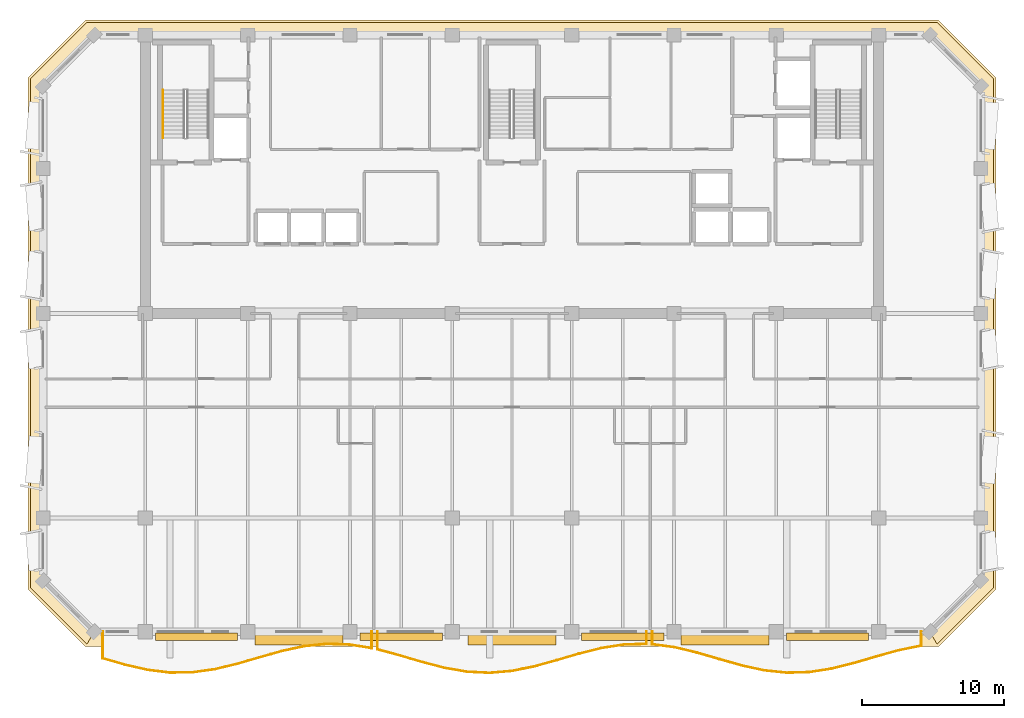
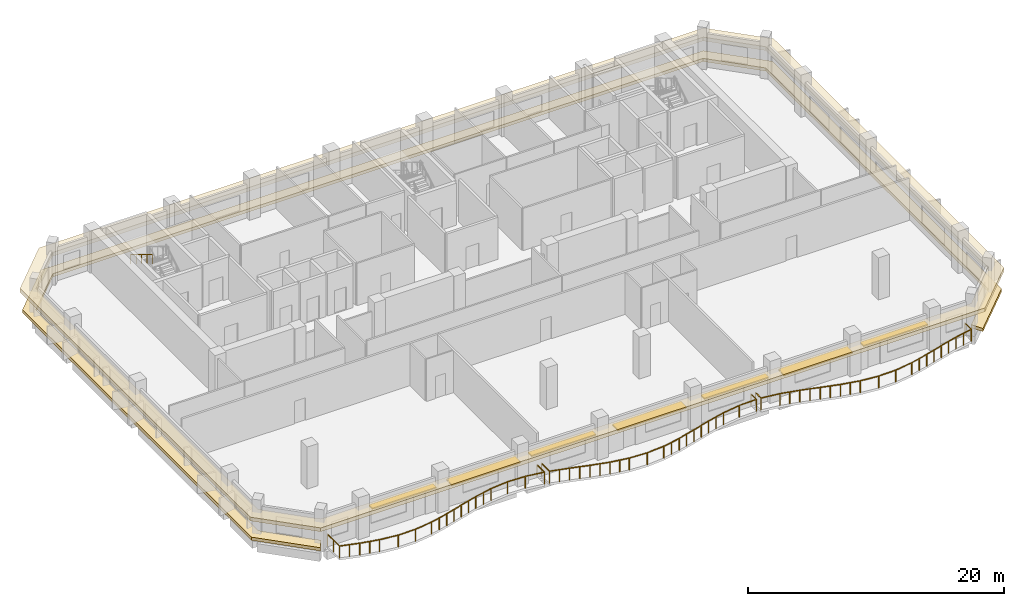
# One storey, part 8 of 10: 7 shading devices, 4 railings, 2 coverings.
"""IFC4 building model written with IfcOpenShell, lengths in metres."""

from ifc_helpers import new_model, si_unit, direction, frame, origin, origin_2d, place, context, subcontext, project, spatial, polyline, rectangle, outline, extrude, material, layer, layer_set, type_object, element, save


model = new_model("IFC4")

# Units and contexts
model_context = context("Model", 3, precision=1e-05, world=origin(), true_north=direction((0.0, 1.0)))
body_context = subcontext(model_context, "Body", "Model", "MODEL_VIEW")
ifc_project = project(units=[si_unit("LENGTHUNIT", "METRE"), si_unit("AREAUNIT", "SQUARE_METRE"), si_unit("VOLUMEUNIT", "CUBIC_METRE"), si_unit("PLANEANGLEUNIT", "RADIAN"), si_unit("MASSUNIT", "GRAM", prefix="KILO")], contexts=[model_context])

# Site, building, storey
site_placement = place(None, origin())
site = spatial("IfcSite", under=ifc_project, at=site_placement, CompositionType="ELEMENT")
building_placement = place(site_placement, origin())
building = spatial("IfcBuilding", under=site, at=building_placement, Name="Kaelvorn Grand Hotel", CompositionType="ELEMENT")
storey_placement = place(building_placement, frame((0.0, 0.0, 290.300048828125)))
storey = spatial("IfcBuildingStorey", under=building, at=storey_placement, Name="L71", CompositionType="ELEMENT", Elevation=290.300048828125)

# Coverings
ifc_material_1 = material(Name="Precast concrete C45/55", Category="concrete")
ifc_layer_1 = layer(ifc_material_1, 0.260009765625)
ifc_layer_set_1 = layer_set([ifc_layer_1], Name="Precast concrete C45/55")
covering_type_1 = type_object("IfcCoveringType", Name="COV-BAND-STREAMLINE-HEAD", PredefinedType="CLADDING", material=ifc_layer_set_1)
covering_1_placement = place(storey_placement, frame((0.0, 0.0, 2.419921875)))
element("IfcCovering", 1, at=covering_1_placement, inside=storey, type_object=covering_type_1, Name="L71 Streamline Moderne Wraparound Horizontal Eyebrow Band", PredefinedType="CLADDING", context=body_context, shape_type="SweptSolid", body=[
    extrude(outline(polyline([(11.989990234375, 5.949951171875), (72.010009765625, 5.949951171875), (76.050048828125, 9.989990234375), (76.050048828125, 46.010009765625), (72.010009765625, 50.050048828125), (11.989990234375, 50.050048828125), (7.949951171875, 46.010009765625), (7.949951171875, 9.989990234375), (11.989990234375, 5.949951171875)]), holes=[polyline([(12.6201171875, 7.030029296875), (71.3798828125, 7.030029296875), (74.969970703125, 10.6201171875), (74.969970703125, 45.3798828125), (71.3798828125, 48.969970703125), (12.6201171875, 48.969970703125), (9.030029296875, 45.3798828125), (9.030029296875, 10.6201171875), (12.6201171875, 7.030029296875)])]), origin(), (0.0, 0.0, 1.0), 0.360107421875),
])
ifc_layer_2 = layer(ifc_material_1, 0.219970703125)
ifc_layer_set_2 = layer_set([ifc_layer_2], Name="Precast concrete C45/55")
covering_type_2 = type_object("IfcCoveringType", Name="COV-BAND-STREAMLINE-SILL", PredefinedType="CLADDING", material=ifc_layer_set_2)
covering_2_placement = place(storey_placement, frame((0.0, 0.0, 0.449951171875)))
element("IfcCovering", 2, at=covering_2_placement, inside=storey, type_object=covering_type_2, Name="L71 Streamline Moderne Wraparound Horizontal Sill Spandrel Band", PredefinedType="CLADDING", context=body_context, shape_type="SweptSolid", body=[
    extrude(outline(polyline([(71.91552734375, 6.1201171875), (75.8798828125, 10.08447265625), (75.8798828125, 45.91552734375), (71.91552734375, 49.8798828125), (12.08447265625, 49.8798828125), (8.1201171875, 45.91552734375), (8.1201171875, 10.08447265625), (12.08447265625, 6.1201171875), (12.61767578125, 7.030029296875), (9.030029296875, 10.61767578125), (9.030029296875, 45.38232421875), (12.61767578125, 48.969970703125), (71.38232421875, 48.969970703125), (74.969970703125, 45.38232421875), (74.969970703125, 10.61767578125), (71.38232421875, 7.030029296875), (71.91552734375, 6.1201171875)])), origin(), (0.0, 0.0, 1.0), 0.300048828125),
])

# Railings
ifc_material_2 = material(Name="Stainless Steel", Category="steel")
railing_type_1 = type_object("IfcRailingType", Name="RL-BALC-1150", PredefinedType="BALUSTRADE", material=ifc_material_2)
railing_1_placement = place(storey_placement, frame((13.199951171875, 7.0, 0.0)))
element("IfcRailing", 3, at=railing_1_placement, inside=storey, type_object=railing_type_1, Name="L71 Scalloped Wave Balcony Balustrade GR1-1", PredefinedType="BALUSTRADE", context=body_context, shape_type="SweptSolid", body=[
    extrude(rectangle(XDim=0.048095703125, YDim=0.048095703125, at=origin_2d()), frame((0.0, 0.0, 1.1259765625), z_axis=(0.0, -1.0, 0.0), x_axis=(1.0, 0.0, 0.0)), (0.0, 0.0, 1.0), 1.875),
    extrude(rectangle(XDim=0.048095703125, YDim=0.048095703125, at=origin_2d()), frame((0.0, -1.875, 1.1259765625), z_axis=(0.960994740693, -0.276566643616, 0.0), x_axis=(0.276566643616, 0.960994740693, 0.0)), (0.0, 0.0, 1.0), 1.641845703125),
    extrude(rectangle(XDim=0.048095703125, YDim=0.048095703125, at=origin_2d()), frame((1.577880859375, -2.3291015625, 1.1259765625), z_axis=(0.974924944504, -0.222533935801, 0.0), x_axis=(0.222533935801, 0.974924944504, 0.0)), (0.0, 0.0, 1.0), 1.6181640625),
    extrude(rectangle(XDim=0.048095703125, YDim=0.048095703125, at=origin_2d()), frame((3.155517578125, -2.689208984375, 1.1259765625), z_axis=(0.992704283677, -0.12057447976, 0.0), x_axis=(0.12057447976, 0.992704283677, 0.0)), (0.0, 0.0, 1.0), 1.58935546875),
    extrude(rectangle(XDim=0.048095703125, YDim=0.048095703125, at=origin_2d()), frame((4.7333984375, -2.880859375, 1.1259765625), z_axis=(0.999944654354, 0.010520847361, 0.0), x_axis=(-0.010520847361, 0.999944654354, 0.0)), (0.0, 0.0, 1.0), 1.577880859375),
    extrude(rectangle(XDim=0.048095703125, YDim=0.048095703125, at=origin_2d()), frame((6.311279296875, -2.8642578125, 1.1259765625), z_axis=(0.990292866958, 0.138996538275, 0.0), x_axis=(-0.138996538275, 0.990292866958, 0.0)), (0.0, 0.0, 1.0), 1.593017578125),
    extrude(rectangle(XDim=0.048095703125, YDim=0.048095703125, at=origin_2d()), frame((7.888916015625, -2.642822265625, 1.1259765625), z_axis=(0.972186226133, 0.234209183675, 0.0), x_axis=(-0.234209183675, 0.972186226133, 0.0)), (0.0, 0.0, 1.0), 1.623046875),
    extrude(rectangle(XDim=0.048095703125, YDim=0.048095703125, at=origin_2d()), frame((9.466796875, -2.2626953125, 1.1259765625), z_axis=(0.959950070908, 0.280171128711, 0.0), x_axis=(-0.280171128711, 0.959950070908, 0.0)), (0.0, 0.0, 1.0), 1.6435546875),
    extrude(rectangle(XDim=0.048095703125, YDim=0.048095703125, at=origin_2d()), frame((11.04443359375, -1.80224609375, 1.1259765625), z_axis=(0.962367834737, 0.271750162215, 0.0), x_axis=(-0.271750162215, 0.962367834737, 0.0)), (0.0, 0.0, 1.0), 1.6396484375),
    extrude(rectangle(XDim=0.048095703125, YDim=0.048095703125, at=origin_2d()), frame((12.622314453125, -1.356689453125, 1.1259765625), z_axis=(0.977793555776, 0.209570423205, 0.0), x_axis=(-0.209570423205, 0.977793555776, 0.0)), (0.0, 0.0, 1.0), 1.613525390625),
    extrude(rectangle(XDim=0.048095703125, YDim=0.048095703125, at=origin_2d()), frame((14.199951171875, -1.0185546875, 1.1259765625), z_axis=(0.994841753688, 0.10143907097, 0.0), x_axis=(-0.10143907097, 0.994841753688, 0.0)), (0.0, 0.0, 1.0), 1.586181640625),
    extrude(rectangle(XDim=0.048095703125, YDim=0.048095703125, at=origin_2d()), frame((15.77783203125, -0.857666015625, 1.1259765625), z_axis=(0.999502219754, -0.03154857695, 0.0), x_axis=(0.03154857695, 0.999502219754, 0.0)), (0.0, 0.0, 1.0), 1.57861328125),
    extrude(rectangle(XDim=0.048095703125, YDim=0.048095703125, at=origin_2d()), frame((17.355712890625, -0.907470703125, 1.1259765625), z_axis=(0.987699679767, -0.156362855525, 0.0), x_axis=(0.156362855525, 0.987699679767, 0.0)), (0.0, 0.0, 1.0), 1.59716796875),
    extrude(rectangle(XDim=0.048095703125, YDim=0.048095703125, at=origin_2d()), frame((18.933349609375, -1.1572265625, 1.1259765625), z_axis=(0.0, 1.0, 0.0), x_axis=(-1.0, 0.0, 0.0)), (0.0, 0.0, 1.0), 1.1572265625),
    extrude(rectangle(XDim=0.0419921875, YDim=0.0419921875, at=origin_2d()), origin(), (0.0, 0.0, 1.0), 1.101806640625),
    extrude(rectangle(XDim=0.0419921875, YDim=0.0419921875, at=origin_2d()), frame((0.0, -0.9375, 0.0)), (0.0, 0.0, 1.0), 1.101806640625),
    extrude(rectangle(XDim=0.0419921875, YDim=0.0419921875, at=origin_2d()), frame((0.0, -1.875, 0.0)), (0.0, 0.0, 1.0), 1.101806640625),
    extrude(rectangle(XDim=0.0419921875, YDim=0.0419921875, at=origin_2d()), frame((0.7890625, -2.10205078125, 0.0)), (0.0, 0.0, 1.0), 1.101806640625),
    extrude(rectangle(XDim=0.0419921875, YDim=0.0419921875, at=origin_2d()), frame((1.577880859375, -2.3291015625, 0.0)), (0.0, 0.0, 1.0), 1.101806640625),
    extrude(rectangle(XDim=0.0419921875, YDim=0.0419921875, at=origin_2d()), frame((2.36669921875, -2.50927734375, 0.0)), (0.0, 0.0, 1.0), 1.101806640625),
    extrude(rectangle(XDim=0.0419921875, YDim=0.0419921875, at=origin_2d()), frame((3.155517578125, -2.689208984375, 0.0)), (0.0, 0.0, 1.0), 1.101806640625),
    extrude(rectangle(XDim=0.0419921875, YDim=0.0419921875, at=origin_2d()), frame((4.7333984375, -2.880859375, 0.0)), (0.0, 0.0, 1.0), 1.101806640625),
    extrude(rectangle(XDim=0.0419921875, YDim=0.0419921875, at=origin_2d()), frame((6.311279296875, -2.8642578125, 0.0)), (0.0, 0.0, 1.0), 1.101806640625),
    extrude(rectangle(XDim=0.0419921875, YDim=0.0419921875, at=origin_2d()), frame((7.888916015625, -2.642822265625, 0.0)), (0.0, 0.0, 1.0), 1.101806640625),
    extrude(rectangle(XDim=0.0419921875, YDim=0.0419921875, at=origin_2d()), frame((8.677734375, -2.45263671875, 0.0)), (0.0, 0.0, 1.0), 1.101806640625),
    extrude(rectangle(XDim=0.0419921875, YDim=0.0419921875, at=origin_2d()), frame((9.466796875, -2.2626953125, 0.0)), (0.0, 0.0, 1.0), 1.101806640625),
    extrude(rectangle(XDim=0.0419921875, YDim=0.0419921875, at=origin_2d()), frame((10.255615234375, -2.032470703125, 0.0)), (0.0, 0.0, 1.0), 1.101806640625),
    extrude(rectangle(XDim=0.0419921875, YDim=0.0419921875, at=origin_2d()), frame((11.04443359375, -1.80224609375, 0.0)), (0.0, 0.0, 1.0), 1.101806640625),
    extrude(rectangle(XDim=0.0419921875, YDim=0.0419921875, at=origin_2d()), frame((11.83349609375, -1.57958984375, 0.0)), (0.0, 0.0, 1.0), 1.101806640625),
    extrude(rectangle(XDim=0.0419921875, YDim=0.0419921875, at=origin_2d()), frame((12.622314453125, -1.356689453125, 0.0)), (0.0, 0.0, 1.0), 1.101806640625),
    extrude(rectangle(XDim=0.0419921875, YDim=0.0419921875, at=origin_2d()), frame((13.4111328125, -1.1875, 0.0)), (0.0, 0.0, 1.0), 1.101806640625),
    extrude(rectangle(XDim=0.0419921875, YDim=0.0419921875, at=origin_2d()), frame((14.199951171875, -1.0185546875, 0.0)), (0.0, 0.0, 1.0), 1.101806640625),
    extrude(rectangle(XDim=0.0419921875, YDim=0.0419921875, at=origin_2d()), frame((15.77783203125, -0.857666015625, 0.0)), (0.0, 0.0, 1.0), 1.101806640625),
    extrude(rectangle(XDim=0.0419921875, YDim=0.0419921875, at=origin_2d()), frame((17.355712890625, -0.907470703125, 0.0)), (0.0, 0.0, 1.0), 1.101806640625),
    extrude(rectangle(XDim=0.0419921875, YDim=0.0419921875, at=origin_2d()), frame((18.933349609375, -1.1572265625, 0.0)), (0.0, 0.0, 1.0), 1.101806640625),
    extrude(rectangle(XDim=0.0419921875, YDim=0.0419921875, at=origin_2d()), frame((18.933349609375, 0.0, 0.0)), (0.0, 0.0, 1.0), 1.101806640625),
])
railing_2_placement = place(storey_placement, frame((32.533447265625, 7.0, 0.0)))
element("IfcRailing", 4, at=railing_2_placement, inside=storey, type_object=railing_type_1, Name="L71 Scalloped Wave Balcony Balustrade GR1-2", PredefinedType="BALUSTRADE", context=body_context, shape_type="SweptSolid", body=[
    extrude(rectangle(XDim=0.048095703125, YDim=0.048095703125, at=origin_2d()), frame((0.0, 0.0, 1.1259765625), z_axis=(0.0, -1.0, 0.0), x_axis=(1.0, 0.0, 0.0)), (0.0, 0.0, 1.0), 1.2470703125),
    extrude(rectangle(XDim=0.048095703125, YDim=0.048095703125, at=origin_2d()), frame((0.0, -1.2470703125, 1.1259765625), z_axis=(0.965757027917, -0.259448189487, 0.0), x_axis=(0.259448189487, 0.965757027917, 0.0)), (0.0, 0.0, 1.0), 1.633544921875),
    extrude(rectangle(XDim=0.048095703125, YDim=0.048095703125, at=origin_2d()), frame((1.57763671875, -1.6708984375, 1.1259765625), z_axis=(0.958998461893, -0.283411273745, 0.0), x_axis=(0.283411273745, 0.958998461893, 0.0)), (0.0, 0.0, 1.0), 1.645263671875),
    extrude(rectangle(XDim=0.048095703125, YDim=0.048095703125, at=origin_2d()), frame((3.155517578125, -2.13720703125, 1.1259765625), z_axis=(0.967571143954, -0.25259865674, 0.0), x_axis=(0.25259865674, 0.967571143954, 0.0)), (0.0, 0.0, 1.0), 1.630615234375),
    extrude(rectangle(XDim=0.048095703125, YDim=0.048095703125, at=origin_2d()), frame((4.733154296875, -2.549072265625, 1.1259765625), z_axis=(0.985442503701, -0.170009034756, 0.0), x_axis=(0.170009034756, 0.985442503701, 0.0)), (0.0, 0.0, 1.0), 1.60107421875),
    extrude(rectangle(XDim=0.048095703125, YDim=0.048095703125, at=origin_2d()), frame((6.31103515625, -2.8212890625, 1.1259765625), z_axis=(0.998821506626, -0.048534502179, 0.0), x_axis=(0.048534502179, 0.998821506626, 0.0)), (0.0, 0.0, 1.0), 1.57958984375),
    extrude(rectangle(XDim=0.048095703125, YDim=0.048095703125, at=origin_2d()), frame((7.888671875, -2.89794921875, 1.1259765625), z_axis=(0.996346274247, 0.085405513838, 0.0), x_axis=(-0.085405513838, 0.996346274247, 0.0)), (0.0, 0.0, 1.0), 1.583740234375),
    extrude(rectangle(XDim=0.048095703125, YDim=0.048095703125, at=origin_2d()), frame((9.466552734375, -2.7626953125, 1.1259765625), z_axis=(0.980187908753, 0.198069845092, 0.0), x_axis=(-0.198069845092, 0.980187908753, 0.0)), (0.0, 0.0, 1.0), 1.60986328125),
    extrude(rectangle(XDim=0.048095703125, YDim=0.048095703125, at=origin_2d()), frame((11.04443359375, -2.44384765625, 1.1259765625), z_axis=(0.963748313877, 0.266813019735, 0.0), x_axis=(-0.266813019735, 0.963748313877, 0.0)), (0.0, 0.0, 1.0), 1.636962890625),
    extrude(rectangle(XDim=0.048095703125, YDim=0.048095703125, at=origin_2d()), frame((12.6220703125, -2.007080078125, 1.1259765625), z_axis=(0.959400950639, 0.282045769181, 0.0), x_axis=(-0.282045769181, 0.959400950639, 0.0)), (0.0, 0.0, 1.0), 1.64453125),
    extrude(rectangle(XDim=0.048095703125, YDim=0.048095703125, at=origin_2d()), frame((14.199951171875, -1.543212890625, 1.1259765625), z_axis=(0.970018753114, 0.243030077575, 0.0), x_axis=(-0.243030077575, 0.970018753114, 0.0)), (0.0, 0.0, 1.0), 1.62646484375),
    extrude(rectangle(XDim=0.048095703125, YDim=0.048095703125, at=origin_2d()), frame((15.777587890625, -1.14794921875, 1.1259765625), z_axis=(0.988171107117, 0.153355348977, 0.0), x_axis=(-0.153355348977, 0.988171107117, 0.0)), (0.0, 0.0, 1.0), 1.5966796875),
    extrude(rectangle(XDim=0.048095703125, YDim=0.048095703125, at=origin_2d()), frame((17.35546875, -0.903076171875, 1.1259765625), z_axis=(0.999616564502, 0.027689781035, 0.0), x_axis=(-0.027689781035, 0.999616564502, 0.0)), (0.0, 0.0, 1.0), 1.578125),
    extrude(rectangle(XDim=0.048095703125, YDim=0.048095703125, at=origin_2d()), frame((18.93310546875, -0.859375, 1.1259765625), z_axis=(0.0, 1.0, 0.0), x_axis=(-1.0, 0.0, 0.0)), (0.0, 0.0, 1.0), 0.859375),
    extrude(rectangle(XDim=0.0419921875, YDim=0.0419921875, at=origin_2d()), origin(), (0.0, 0.0, 1.0), 1.101806640625),
    extrude(rectangle(XDim=0.0419921875, YDim=0.0419921875, at=origin_2d()), frame((0.0, -1.2470703125, 0.0)), (0.0, 0.0, 1.0), 1.101806640625),
    extrude(rectangle(XDim=0.0419921875, YDim=0.0419921875, at=origin_2d()), frame((0.788818359375, -1.458984375, 0.0)), (0.0, 0.0, 1.0), 1.101806640625),
    extrude(rectangle(XDim=0.0419921875, YDim=0.0419921875, at=origin_2d()), frame((1.57763671875, -1.6708984375, 0.0)), (0.0, 0.0, 1.0), 1.101806640625),
    extrude(rectangle(XDim=0.0419921875, YDim=0.0419921875, at=origin_2d()), frame((2.36669921875, -1.904052734375, 0.0)), (0.0, 0.0, 1.0), 1.101806640625),
    extrude(rectangle(XDim=0.0419921875, YDim=0.0419921875, at=origin_2d()), frame((3.155517578125, -2.13720703125, 0.0)), (0.0, 0.0, 1.0), 1.101806640625),
    extrude(rectangle(XDim=0.0419921875, YDim=0.0419921875, at=origin_2d()), frame((3.9443359375, -2.34326171875, 0.0)), (0.0, 0.0, 1.0), 1.101806640625),
    extrude(rectangle(XDim=0.0419921875, YDim=0.0419921875, at=origin_2d()), frame((4.733154296875, -2.549072265625, 0.0)), (0.0, 0.0, 1.0), 1.101806640625),
    extrude(rectangle(XDim=0.0419921875, YDim=0.0419921875, at=origin_2d()), frame((5.52197265625, -2.68505859375, 0.0)), (0.0, 0.0, 1.0), 1.101806640625),
    extrude(rectangle(XDim=0.0419921875, YDim=0.0419921875, at=origin_2d()), frame((6.31103515625, -2.8212890625, 0.0)), (0.0, 0.0, 1.0), 1.101806640625),
    extrude(rectangle(XDim=0.0419921875, YDim=0.0419921875, at=origin_2d()), frame((7.888671875, -2.89794921875, 0.0)), (0.0, 0.0, 1.0), 1.101806640625),
    extrude(rectangle(XDim=0.0419921875, YDim=0.0419921875, at=origin_2d()), frame((9.466552734375, -2.7626953125, 0.0)), (0.0, 0.0, 1.0), 1.101806640625),
    extrude(rectangle(XDim=0.0419921875, YDim=0.0419921875, at=origin_2d()), frame((10.25537109375, -2.603271484375, 0.0)), (0.0, 0.0, 1.0), 1.101806640625),
    extrude(rectangle(XDim=0.0419921875, YDim=0.0419921875, at=origin_2d()), frame((11.04443359375, -2.44384765625, 0.0)), (0.0, 0.0, 1.0), 1.101806640625),
    extrude(rectangle(XDim=0.0419921875, YDim=0.0419921875, at=origin_2d()), frame((11.833251953125, -2.2255859375, 0.0)), (0.0, 0.0, 1.0), 1.101806640625),
    extrude(rectangle(XDim=0.0419921875, YDim=0.0419921875, at=origin_2d()), frame((12.6220703125, -2.007080078125, 0.0)), (0.0, 0.0, 1.0), 1.101806640625),
    extrude(rectangle(XDim=0.0419921875, YDim=0.0419921875, at=origin_2d()), frame((13.4111328125, -1.775146484375, 0.0)), (0.0, 0.0, 1.0), 1.101806640625),
    extrude(rectangle(XDim=0.0419921875, YDim=0.0419921875, at=origin_2d()), frame((14.199951171875, -1.543212890625, 0.0)), (0.0, 0.0, 1.0), 1.101806640625),
    extrude(rectangle(XDim=0.0419921875, YDim=0.0419921875, at=origin_2d()), frame((14.98876953125, -1.345703125, 0.0)), (0.0, 0.0, 1.0), 1.101806640625),
    extrude(rectangle(XDim=0.0419921875, YDim=0.0419921875, at=origin_2d()), frame((15.777587890625, -1.14794921875, 0.0)), (0.0, 0.0, 1.0), 1.101806640625),
    extrude(rectangle(XDim=0.0419921875, YDim=0.0419921875, at=origin_2d()), frame((17.35546875, -0.903076171875, 0.0)), (0.0, 0.0, 1.0), 1.101806640625),
    extrude(rectangle(XDim=0.0419921875, YDim=0.0419921875, at=origin_2d()), frame((18.93310546875, -0.859375, 0.0)), (0.0, 0.0, 1.0), 1.101806640625),
    extrude(rectangle(XDim=0.0419921875, YDim=0.0419921875, at=origin_2d()), frame((18.93310546875, 0.0, 0.0)), (0.0, 0.0, 1.0), 1.101806640625),
])
railing_3_placement = place(storey_placement, frame((51.86669921875, 7.0, 0.0)))
element("IfcRailing", 5, at=railing_3_placement, inside=storey, type_object=railing_type_1, Name="L71 Scalloped Wave Balcony Balustrade GR1-3", PredefinedType="BALUSTRADE", context=body_context, shape_type="SweptSolid", body=[
    extrude(rectangle(XDim=0.048095703125, YDim=0.048095703125, at=origin_2d()), frame((0.0, 0.0, 1.1259765625), z_axis=(0.0, -1.0, 0.0), x_axis=(1.0, 0.0, 0.0)), (0.0, 0.0, 1.0), 0.88232421875),
    extrude(rectangle(XDim=0.048095703125, YDim=0.048095703125, at=origin_2d()), frame((0.0, -0.88232421875, 1.1259765625), z_axis=(0.990751631075, -0.135687897478, 0.0), x_axis=(0.135687897478, 0.990751631075, 0.0)), (0.0, 0.0, 1.0), 1.59228515625),
    extrude(rectangle(XDim=0.048095703125, YDim=0.048095703125, at=origin_2d()), frame((1.57763671875, -1.098388671875, 1.1259765625), z_axis=(0.972663931171, -0.232217305554, 0.0), x_axis=(0.232217305554, 0.972663931171, 0.0)), (0.0, 0.0, 1.0), 1.622314453125),
    extrude(rectangle(XDim=0.048095703125, YDim=0.048095703125, at=origin_2d()), frame((3.155517578125, -1.47509765625, 1.1259765625), z_axis=(0.960121369563, -0.279583539767, 0.0), x_axis=(0.279583539767, 0.960121369563, 0.0)), (0.0, 0.0, 1.0), 1.643310546875),
    extrude(rectangle(XDim=0.048095703125, YDim=0.048095703125, at=origin_2d()), frame((4.7333984375, -1.9345703125, 1.1259765625), z_axis=(0.962083760645, -0.272754170458, 0.0), x_axis=(0.272754170458, 0.962083760645, 0.0)), (0.0, 0.0, 1.0), 1.639892578125),
    extrude(rectangle(XDim=0.048095703125, YDim=0.048095703125, at=origin_2d()), frame((6.31103515625, -2.3818359375, 1.1259765625), z_axis=(0.97727043301, -0.211996464038, 0.0), x_axis=(0.211996464038, 0.97727043301, 0.0)), (0.0, 0.0, 1.0), 1.614501953125),
    extrude(rectangle(XDim=0.048095703125, YDim=0.048095703125, at=origin_2d()), frame((7.888916015625, -2.72412109375, 1.1259765625), z_axis=(0.994476744564, -0.104957155647, 0.0), x_axis=(0.104957155647, 0.994476744564, 0.0)), (0.0, 0.0, 1.0), 1.58642578125),
    extrude(rectangle(XDim=0.048095703125, YDim=0.048095703125, at=origin_2d()), frame((9.466552734375, -2.890625, 1.1259765625), z_axis=(0.99961668308, 0.027685499965, 0.0), x_axis=(-0.027685499965, 0.99961668308, 0.0)), (0.0, 0.0, 1.0), 1.578369140625),
    extrude(rectangle(XDim=0.048095703125, YDim=0.048095703125, at=origin_2d()), frame((11.04443359375, -2.846923828125, 1.1259765625), z_axis=(0.988167510499, 0.153378522598, 0.0), x_axis=(-0.153378522598, 0.988167510499, 0.0)), (0.0, 0.0, 1.0), 1.596435546875),
    extrude(rectangle(XDim=0.048095703125, YDim=0.048095703125, at=origin_2d()), frame((12.6220703125, -2.60205078125, 1.1259765625), z_axis=(0.970027617291, 0.242994694785, 0.0), x_axis=(-0.242994694785, 0.970027617291, 0.0)), (0.0, 0.0, 1.0), 1.626708984375),
    extrude(rectangle(XDim=0.048095703125, YDim=0.048095703125, at=origin_2d()), frame((14.199951171875, -2.206787109375, 1.1259765625), z_axis=(0.959400950639, 0.282045769181, 0.0), x_axis=(-0.282045769181, 0.959400950639, 0.0)), (0.0, 0.0, 1.0), 1.64453125),
    extrude(rectangle(XDim=0.048095703125, YDim=0.048095703125, at=origin_2d()), frame((15.77783203125, -1.742919921875, 1.1259765625), z_axis=(0.963748313877, 0.266813019735, 0.0), x_axis=(-0.266813019735, 0.963748313877, 0.0)), (0.0, 0.0, 1.0), 1.636962890625),
    extrude(rectangle(XDim=0.048095703125, YDim=0.048095703125, at=origin_2d()), frame((17.35546875, -1.30615234375, 1.1259765625), z_axis=(0.980187908753, 0.198069845092, 0.0), x_axis=(-0.198069845092, 0.980187908753, 0.0)), (0.0, 0.0, 1.0), 1.60986328125),
    extrude(rectangle(XDim=0.048095703125, YDim=0.048095703125, at=origin_2d()), frame((18.933349609375, -0.9873046875, 1.1259765625), z_axis=(0.0, 1.0, 0.0), x_axis=(-1.0, 0.0, 0.0)), (0.0, 0.0, 1.0), 0.9873046875),
    extrude(rectangle(XDim=0.0419921875, YDim=0.0419921875, at=origin_2d()), origin(), (0.0, 0.0, 1.0), 1.101806640625),
    extrude(rectangle(XDim=0.0419921875, YDim=0.0419921875, at=origin_2d()), frame((0.0, -0.88232421875, 0.0)), (0.0, 0.0, 1.0), 1.101806640625),
    extrude(rectangle(XDim=0.0419921875, YDim=0.0419921875, at=origin_2d()), frame((1.57763671875, -1.098388671875, 0.0)), (0.0, 0.0, 1.0), 1.101806640625),
    extrude(rectangle(XDim=0.0419921875, YDim=0.0419921875, at=origin_2d()), frame((2.36669921875, -1.28662109375, 0.0)), (0.0, 0.0, 1.0), 1.101806640625),
    extrude(rectangle(XDim=0.0419921875, YDim=0.0419921875, at=origin_2d()), frame((3.155517578125, -1.47509765625, 0.0)), (0.0, 0.0, 1.0), 1.101806640625),
    extrude(rectangle(XDim=0.0419921875, YDim=0.0419921875, at=origin_2d()), frame((3.9443359375, -1.704833984375, 0.0)), (0.0, 0.0, 1.0), 1.101806640625),
    extrude(rectangle(XDim=0.0419921875, YDim=0.0419921875, at=origin_2d()), frame((4.7333984375, -1.9345703125, 0.0)), (0.0, 0.0, 1.0), 1.101806640625),
    extrude(rectangle(XDim=0.0419921875, YDim=0.0419921875, at=origin_2d()), frame((5.522216796875, -2.158203125, 0.0)), (0.0, 0.0, 1.0), 1.101806640625),
    extrude(rectangle(XDim=0.0419921875, YDim=0.0419921875, at=origin_2d()), frame((6.31103515625, -2.3818359375, 0.0)), (0.0, 0.0, 1.0), 1.101806640625),
    extrude(rectangle(XDim=0.0419921875, YDim=0.0419921875, at=origin_2d()), frame((7.10009765625, -2.552978515625, 0.0)), (0.0, 0.0, 1.0), 1.101806640625),
    extrude(rectangle(XDim=0.0419921875, YDim=0.0419921875, at=origin_2d()), frame((7.888916015625, -2.72412109375, 0.0)), (0.0, 0.0, 1.0), 1.101806640625),
    extrude(rectangle(XDim=0.0419921875, YDim=0.0419921875, at=origin_2d()), frame((9.466552734375, -2.890625, 0.0)), (0.0, 0.0, 1.0), 1.101806640625),
    extrude(rectangle(XDim=0.0419921875, YDim=0.0419921875, at=origin_2d()), frame((11.04443359375, -2.846923828125, 0.0)), (0.0, 0.0, 1.0), 1.101806640625),
    extrude(rectangle(XDim=0.0419921875, YDim=0.0419921875, at=origin_2d()), frame((12.6220703125, -2.60205078125, 0.0)), (0.0, 0.0, 1.0), 1.101806640625),
    extrude(rectangle(XDim=0.0419921875, YDim=0.0419921875, at=origin_2d()), frame((13.4111328125, -2.404296875, 0.0)), (0.0, 0.0, 1.0), 1.101806640625),
    extrude(rectangle(XDim=0.0419921875, YDim=0.0419921875, at=origin_2d()), frame((14.199951171875, -2.206787109375, 0.0)), (0.0, 0.0, 1.0), 1.101806640625),
    extrude(rectangle(XDim=0.0419921875, YDim=0.0419921875, at=origin_2d()), frame((14.98876953125, -1.974853515625, 0.0)), (0.0, 0.0, 1.0), 1.101806640625),
    extrude(rectangle(XDim=0.0419921875, YDim=0.0419921875, at=origin_2d()), frame((15.77783203125, -1.742919921875, 0.0)), (0.0, 0.0, 1.0), 1.101806640625),
    extrude(rectangle(XDim=0.0419921875, YDim=0.0419921875, at=origin_2d()), frame((16.566650390625, -1.5244140625, 0.0)), (0.0, 0.0, 1.0), 1.101806640625),
    extrude(rectangle(XDim=0.0419921875, YDim=0.0419921875, at=origin_2d()), frame((17.35546875, -1.30615234375, 0.0)), (0.0, 0.0, 1.0), 1.101806640625),
    extrude(rectangle(XDim=0.0419921875, YDim=0.0419921875, at=origin_2d()), frame((18.14453125, -1.146728515625, 0.0)), (0.0, 0.0, 1.0), 1.101806640625),
    extrude(rectangle(XDim=0.0419921875, YDim=0.0419921875, at=origin_2d()), frame((18.933349609375, -0.9873046875, 0.0)), (0.0, 0.0, 1.0), 1.101806640625),
    extrude(rectangle(XDim=0.0419921875, YDim=0.0419921875, at=origin_2d()), frame((18.933349609375, 0.0, 0.0)), (0.0, 0.0, 1.0), 1.101806640625),
])
railing_type_2 = type_object("IfcRailingType", Name="RL-HANDRAIL-900", PredefinedType="HANDRAIL", material=ifc_material_2)
railing_4_placement = place(storey_placement, frame((17.449951171875, 45.1201171875, 2.369140625)))
element("IfcRailing", 6, at=railing_4_placement, inside=storey, type_object=railing_type_2, Name="L71 ST1 stair handrail 2", PredefinedType="HANDRAIL", context=body_context, shape_type="SweptSolid", body=[
    extrude(rectangle(XDim=0.048095703125, YDim=0.048095703125, at=origin_2d()), frame((0.0, 0.0, 0.8759765625), z_axis=(0.0, -0.855836976705, 0.517245656632), x_axis=(1.0, 0.0, 0.0)), (0.0, 0.0, 1.0), 3.926025390625),
    extrude(rectangle(XDim=0.0419921875, YDim=0.0419921875, at=origin_2d()), origin(), (0.0, 0.0, 1.0), 0.851806640625),
    extrude(rectangle(XDim=0.0419921875, YDim=0.0419921875, at=origin_2d()), frame((0.0, -0.840087890625, 0.5078125)), (0.0, 0.0, 1.0), 0.851806640625),
    extrude(rectangle(XDim=0.0419921875, YDim=0.0419921875, at=origin_2d()), frame((0.0, -1.68017578125, 1.015380859375)), (0.0, 0.0, 1.0), 0.851806640625),
    extrude(rectangle(XDim=0.0419921875, YDim=0.0419921875, at=origin_2d()), frame((0.0, -2.52001953125, 1.52294921875)), (0.0, 0.0, 1.0), 0.851806640625),
    extrude(rectangle(XDim=0.0419921875, YDim=0.0419921875, at=origin_2d()), frame((0.0, -3.360107421875, 2.03076171875)), (0.0, 0.0, 1.0), 0.851806640625),
])

# Shading devices
ifc_layer_3 = layer(ifc_material_1, 0.1201171875)
ifc_layer_set_3 = layer_set([ifc_layer_3], Name="Precast concrete C45/55")
shading_device_type_1 = type_object("IfcShadingDeviceType", Name="SHD-SUNSHADE-550", PredefinedType="USERDEFINED", material=ifc_layer_set_3)
for number, where, z_axis, x_axis, name in (
    (7, (19.800048828125, 6.655029296875, 2.559814453125), (0.0, 0.0, 1.0), (1.0, 0.0, 0.0), "L71 Horizontal Concrete Sunshade Band SS-03"),
    (8, (34.199951171875, 6.655029296875, 2.559814453125), (0.0, 0.0, 1.0), (1.0, 0.0, 0.0), "L71 Horizontal Concrete Sunshade Band SS-05"),
    (9, (49.800048828125, 6.655029296875, 2.559814453125), (0.0, 0.0, 1.0), (1.0, 0.0, 0.0), "L71 Horizontal Concrete Sunshade Band SS-07"),
    (10, (64.199951171875, 6.655029296875, 2.559814453125), (0.0, 0.0, 1.0), (1.0, 0.0, 0.0), "L71 Horizontal Concrete Sunshade Band SS-09"),
):
    element("IfcShadingDevice", number, at=place(storey_placement, frame(where, z_axis=z_axis, x_axis=x_axis)), inside=storey, type_object=shading_device_type_1, Name=name, ObjectType="SUNSHADE", PredefinedType="USERDEFINED", context=body_context, shape_type="SweptSolid", body=[
        extrude(rectangle(XDim=5.800048828125, YDim=0.550048828125, at=origin_2d()), origin(), (0.0, 0.0, 1.0), 0.1201171875),
    ])
ifc_layer_4 = layer(ifc_material_1, 0.139892578125)
ifc_layer_set_4 = layer_set([ifc_layer_4], Name="Precast concrete C45/55")
shading_device_type_2 = type_object("IfcShadingDeviceType", Name="SHD-SUNSHADE-850", PredefinedType="USERDEFINED", material=ifc_layer_set_4)
for number, where, z_axis, x_axis, name in (
    (11, (27.0, 6.5048828125, 2.5498046875), (0.0, 0.0, 1.0), (1.0, 0.0, 0.0), "L71 Horizontal Concrete Sunshade Band SS-04"),
    (12, (42.0, 6.5048828125, 2.5498046875), (0.0, 0.0, 1.0), (1.0, 0.0, 0.0), "L71 Horizontal Concrete Sunshade Band SS-06"),
    (13, (57.0, 6.5048828125, 2.5498046875), (0.0, 0.0, 1.0), (1.0, 0.0, 0.0), "L71 Horizontal Concrete Sunshade Band SS-08"),
):
    element("IfcShadingDevice", number, at=place(storey_placement, frame(where, z_axis=z_axis, x_axis=x_axis)), inside=storey, type_object=shading_device_type_2, Name=name, ObjectType="SUNSHADE", PredefinedType="USERDEFINED", context=body_context, shape_type="SweptSolid", body=[
        extrude(rectangle(XDim=6.199951171875, YDim=0.85009765625, at=origin_2d()), origin(), (0.0, 0.0, 1.0), 0.139892578125),
    ])

save(model, "model.ifc")
